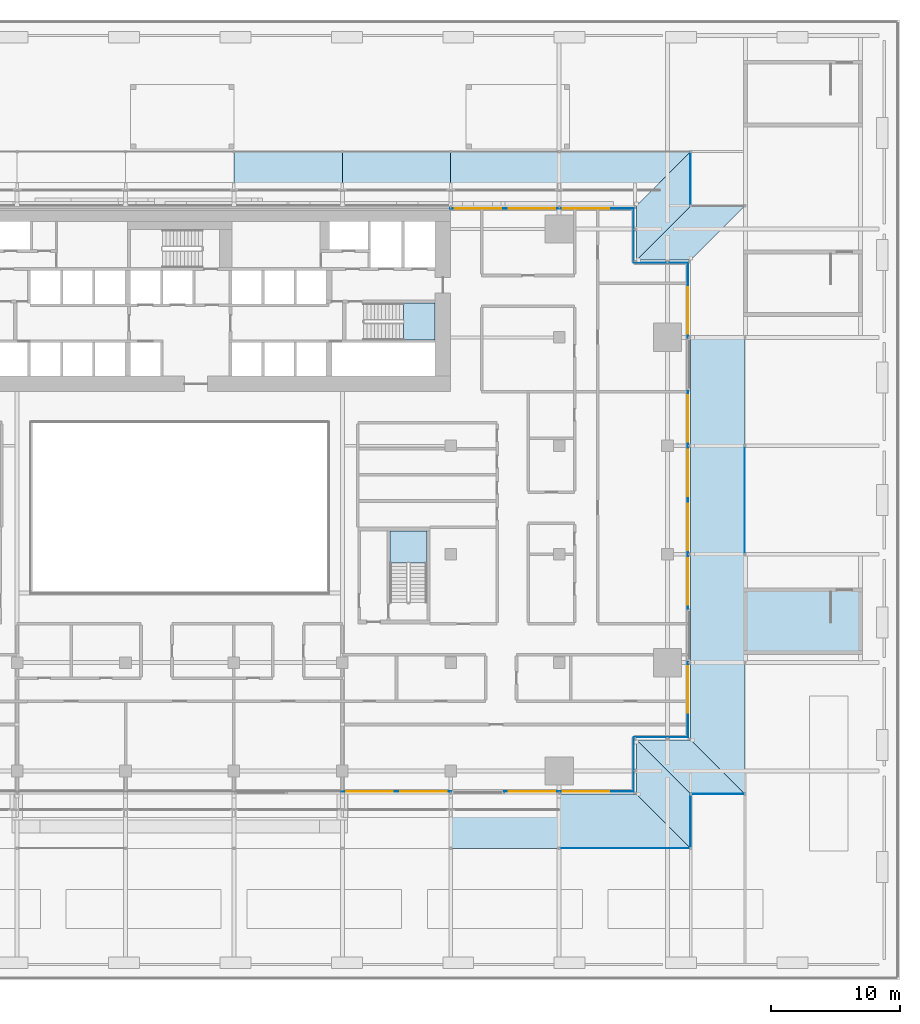
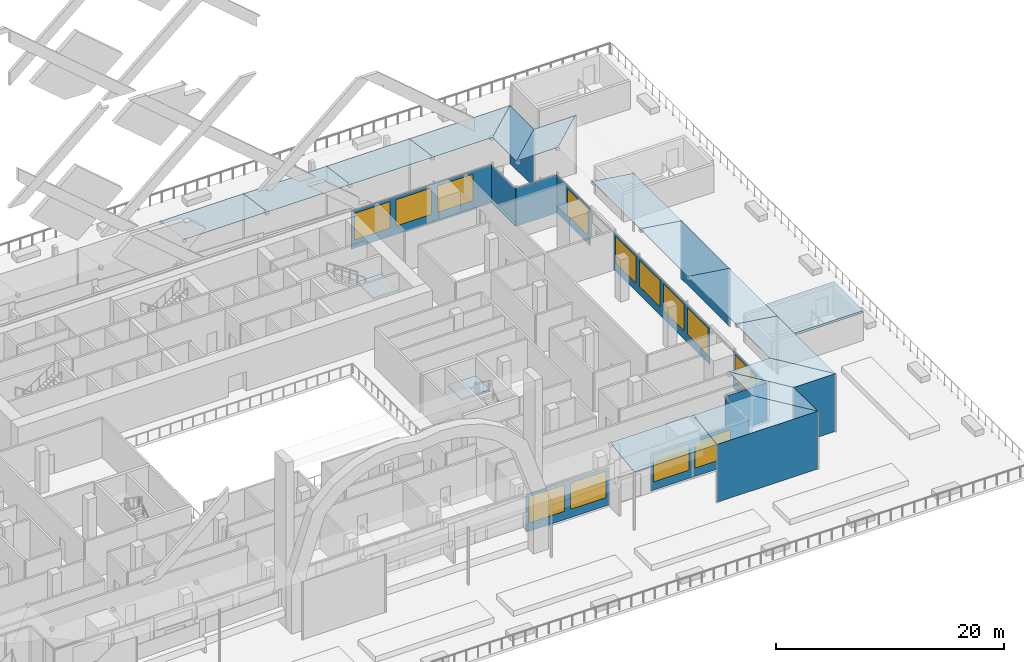
# One storey, part 20 of 60: 29 plates, 13 windows, 3 slabs, 13 openings, 9 elements without a shape of their own.
"""IFC4 building model written with IfcOpenShell, lengths in metres."""

from ifc_helpers import new_model, si_unit, direction, frame, frame_2d, origin, place, context, subcontext, project, spatial, polyline, rectangle, outline, extrude, material, layer, layer_set, type_object, element, fill, aggregate, save


model = new_model("IFC4")

# Units and contexts
model_context = context("Model", 3, precision=1e-05, world=origin(), true_north=direction((0.0, 1.0)))
body_context = subcontext(model_context, "Body", "Model", "MODEL_VIEW")
ifc_project = project(units=[si_unit("LENGTHUNIT", "METRE"), si_unit("AREAUNIT", "SQUARE_METRE"), si_unit("VOLUMEUNIT", "CUBIC_METRE"), si_unit("PLANEANGLEUNIT", "RADIAN"), si_unit("MASSUNIT", "GRAM", prefix="KILO")], contexts=[model_context])

# Site, building, storey
site_placement = place(None, origin())
site = spatial("IfcSite", under=ifc_project, at=site_placement, CompositionType="ELEMENT")
building_placement = place(site_placement, origin())
building = spatial("IfcBuilding", under=site, at=building_placement, Name="Saffron Gate Tower", CompositionType="ELEMENT")
storey_placement = place(building_placement, frame((0.0, 0.0, 19.199951171875)))
storey = spatial("IfcBuildingStorey", under=building, at=storey_placement, Name="L03", CompositionType="ELEMENT", Elevation=19.199951171875)

# Slab
ifc_material_1 = material(Name="Concrete C70", Category="concrete")
ifc_layer_1 = layer(ifc_material_1, 0.199951171875)
ifc_layer_set_1 = layer_set([ifc_layer_1], Name="CS2 Stair head-house roof slab 200")
slab_type_1 = type_object("IfcSlabType", Name="CS2 Stair head-house roof slab 200", PredefinedType="ROOF", material=ifc_layer_set_1)
slab_1_placement = place(storey_placement, frame((0.0, 0.0, 3.0)))
element("IfcSlab", 1, at=slab_1_placement, inside=storey, type_object=slab_type_1, Name="Stair head-house roof slab K", PredefinedType="ROOF", context=body_context, shape_type="SweptSolid", body=[
    extrude(outline(polyline([(131.300048828125, 40.824951171875), (140.5, 40.824951171875), (140.5, 45.97509765625), (131.300048828125, 45.97509765625), (131.300048828125, 40.824951171875)])), origin(), (0.0, 0.0, 1.0), 0.199951171875),
])

# Curtain wall, plates, openings, windows
ifc_material_2 = material(Name="Aluminium, bronze anodised", Category="aluminium")
curtain_wall_type = type_object("IfcCurtainWallType", Name="CWS6 curtain wall tall storeys", PredefinedType="NOTDEFINED", material=ifc_material_2)
curtain_wall_1_placement = place(storey_placement, origin())
curtain_wall_1 = element("IfcCurtainWall", 2, at=curtain_wall_1_placement, inside=storey, type_object=curtain_wall_type, Name="CWS6 run 1", PredefinedType="NOTDEFINED")
ifc_material_3 = material(Name="Fritted bronze-tinted laminated glass", Category="glass")
ifc_layer_2 = layer(ifc_material_3, 0.028076171875)
ifc_layer_set_2 = layer_set([ifc_layer_2], Name="CWS6 fixed glass")
plate_type_1 = type_object("IfcPlateType", Name="CWS6 fixed glass", PredefinedType="CURTAIN_PANEL", material=ifc_layer_set_2)
plate_1_placement = place(storey_placement, frame((100.159912109375, 30.214111328125, 0.0), z_axis=(0.0, 0.0, 1.0), x_axis=(1.0, 0.0, 0.0)))
plate_1 = element("IfcPlate", 3, at=plate_1_placement, type_object=plate_type_1, Name="CWS6 glass panel", PredefinedType="CURTAIN_PANEL", context=body_context, shape_type="SweptSolid", body=[
    extrude(rectangle(XDim=8.47998046875, YDim=0.028076171875, at=frame_2d((4.239990234375, 0.0))), origin(), (0.0, 0.0, 1.0), 4.080078125),
])
opening_1_placement = place(plate_1_placement, frame((0.340087890625, 0.0, 0.89990234375)))
opening_1 = element("IfcOpeningElement", 4, at=opening_1_placement, cuts=plate_1, Name="Opening W3", PredefinedType="OPENING", context=body_context, shape_type="SweptSolid", body=[
    extrude(rectangle(XDim=3.60009765625, YDim=2.830078125, at=frame_2d((1.800048828125, 1.4150390625))), frame((0.0, 0.02392578125, 0.0), z_axis=(0.0, -1.0, 0.0), x_axis=(1.0, 0.0, 0.0)), (0.0, 0.0, 1.0), 0.048095703125),
])
opening_2_placement = place(plate_1_placement, frame((4.5400390625, 0.0, 0.89990234375)))
opening_2 = element("IfcOpeningElement", 5, at=opening_2_placement, cuts=plate_1, Name="Opening W3", PredefinedType="OPENING", context=body_context, shape_type="SweptSolid", body=[
    extrude(rectangle(XDim=3.60009765625, YDim=2.830078125, at=frame_2d((1.800048828125, 1.4150390625))), frame((0.0, 0.02392578125, 0.0), z_axis=(0.0, -1.0, 0.0), x_axis=(1.0, 0.0, 0.0)), (0.0, 0.0, 1.0), 0.048095703125),
])
ifc_material_4 = material(Name="Fritted bronze-tinted laminated glass in bronze frame", Category="glass")
ifc_layer_3 = layer(ifc_material_4, 0.06005859375)
ifc_layer_set_3 = layer_set([ifc_layer_3], Name="W3 operable panel 3600x2830")
window_type = type_object("IfcWindowType", Name="W3 operable panel 3600x2830", PartitioningType="DOUBLE_PANEL_HORIZONTAL", PredefinedType="WINDOW", material=ifc_layer_set_3)
window_1_placement = place(opening_1_placement, origin())
window_1 = element("IfcWindow", 6, at=window_1_placement, type_object=window_type, Name="W3 operable panel", OverallHeight=2.830078125, OverallWidth=3.60009765625, PartitioningType="SINGLE_PANEL", PredefinedType="WINDOW", context=body_context, shape_type="SweptSolid", body=[
    extrude(rectangle(XDim=3.60009765625, YDim=2.830078125, at=frame_2d((1.800048828125, 1.4150390625))), frame((0.0, 0.013671875, 0.0), z_axis=(0.0, -1.0, 0.0), x_axis=(1.0, 0.0, 0.0)), (0.0, 0.0, 1.0), 0.027587890625),
])
fill(opening_1, window_1)
window_2_placement = place(opening_2_placement, origin())
window_2 = element("IfcWindow", 7, at=window_2_placement, type_object=window_type, Name="W3 operable panel", OverallHeight=2.830078125, OverallWidth=3.60009765625, PartitioningType="SINGLE_PANEL", PredefinedType="WINDOW", context=body_context, shape_type="SweptSolid", body=[
    extrude(rectangle(XDim=3.60009765625, YDim=2.830078125, at=frame_2d((1.800048828125, 1.4150390625))), frame((0.0, 0.013671875, 0.0), z_axis=(0.0, -1.0, 0.0), x_axis=(1.0, 0.0, 0.0)), (0.0, 0.0, 1.0), 0.027587890625),
])
fill(opening_2, window_2)
plate_2_placement = place(storey_placement, frame((112.760009765625, 30.214111328125, 0.0), z_axis=(0.0, 0.0, 1.0), x_axis=(1.0, 0.0, 0.0)))
plate_2 = element("IfcPlate", 8, at=plate_2_placement, type_object=plate_type_1, Name="CWS6 glass panel", PredefinedType="CURTAIN_PANEL", context=body_context, shape_type="SweptSolid", body=[
    extrude(rectangle(XDim=10.011962890625, YDim=0.028076171875, at=frame_2d((5.005859375, 0.0))), origin(), (0.0, 0.0, 1.0), 4.080078125),
])
opening_3_placement = place(plate_2_placement, frame((0.340087890625, 0.0, 0.89990234375)))
opening_3 = element("IfcOpeningElement", 9, at=opening_3_placement, cuts=plate_2, Name="Opening W3", PredefinedType="OPENING", context=body_context, shape_type="SweptSolid", body=[
    extrude(rectangle(XDim=3.60009765625, YDim=2.830078125, at=frame_2d((1.800048828125, 1.4150390625))), frame((0.0, 0.02392578125, 0.0), z_axis=(0.0, -1.0, 0.0), x_axis=(1.0, 0.0, 0.0)), (0.0, 0.0, 1.0), 0.048095703125),
])
opening_4_placement = place(plate_2_placement, frame((4.5400390625, 0.0, 0.89990234375)))
opening_4 = element("IfcOpeningElement", 10, at=opening_4_placement, cuts=plate_2, Name="Opening W3", PredefinedType="OPENING", context=body_context, shape_type="SweptSolid", body=[
    extrude(rectangle(XDim=3.60009765625, YDim=2.830078125, at=frame_2d((1.800048828125, 1.4150390625))), frame((0.0, 0.02392578125, 0.0), z_axis=(0.0, -1.0, 0.0), x_axis=(1.0, 0.0, 0.0)), (0.0, 0.0, 1.0), 0.048095703125),
])
window_3_placement = place(opening_3_placement, origin())
window_3 = element("IfcWindow", 11, at=window_3_placement, type_object=window_type, Name="W3 operable panel", OverallHeight=2.830078125, OverallWidth=3.60009765625, PartitioningType="SINGLE_PANEL", PredefinedType="WINDOW", context=body_context, shape_type="SweptSolid", body=[
    extrude(rectangle(XDim=3.60009765625, YDim=2.830078125, at=frame_2d((1.800048828125, 1.4150390625))), frame((0.0, 0.013671875, 0.0), z_axis=(0.0, -1.0, 0.0), x_axis=(1.0, 0.0, 0.0)), (0.0, 0.0, 1.0), 0.027587890625),
])
fill(opening_3, window_3)
window_4_placement = place(opening_4_placement, origin())
window_4 = element("IfcWindow", 12, at=window_4_placement, type_object=window_type, Name="W3 operable panel", OverallHeight=2.830078125, OverallWidth=3.60009765625, PartitioningType="SINGLE_PANEL", PredefinedType="WINDOW", context=body_context, shape_type="SweptSolid", body=[
    extrude(rectangle(XDim=3.60009765625, YDim=2.830078125, at=frame_2d((1.800048828125, 1.4150390625))), frame((0.0, 0.013671875, 0.0), z_axis=(0.0, -1.0, 0.0), x_axis=(1.0, 0.0, 0.0)), (0.0, 0.0, 1.0), 0.027587890625),
])
fill(opening_4, window_4)
aggregate(curtain_wall_1, [plate_1, plate_2, window_1, window_2, window_3, window_4])

# Curtain wall, plate
curtain_wall_2_placement = place(storey_placement, origin())
curtain_wall_2 = element("IfcCurtainWall", 13, at=curtain_wall_2_placement, inside=storey, type_object=curtain_wall_type, Name="CWS6 run 2", PredefinedType="NOTDEFINED")
plate_3_placement = place(storey_placement, frame((122.785888671875, 30.22802734375, 0.0), z_axis=(0.0, 0.0, 1.0), x_axis=(0.0, 1.0, 0.0)))
plate_3 = element("IfcPlate", 14, at=plate_3_placement, type_object=plate_type_1, Name="CWS6 glass panel", PredefinedType="CURTAIN_PANEL", context=body_context, shape_type="SweptSolid", body=[
    extrude(rectangle(XDim=4.171875, YDim=0.028076171875, at=frame_2d((2.0859375, 0.0))), origin(), (0.0, 0.0, 1.0), 4.080078125),
])
aggregate(curtain_wall_2, [plate_3])

curtain_wall_3_placement = place(storey_placement, origin())
curtain_wall_3 = element("IfcCurtainWall", 15, at=curtain_wall_3_placement, inside=storey, type_object=curtain_wall_type, Name="CWS6 run 3", PredefinedType="NOTDEFINED")
plate_4_placement = place(storey_placement, frame((122.800048828125, 34.4140625, 0.0), z_axis=(0.0, 0.0, 1.0), x_axis=(1.0, 0.0, 0.0)))
plate_4 = element("IfcPlate", 16, at=plate_4_placement, type_object=plate_type_1, Name="CWS6 glass panel", PredefinedType="CURTAIN_PANEL", context=body_context, shape_type="SweptSolid", body=[
    extrude(rectangle(XDim=4.171875, YDim=0.028076171875, at=frame_2d((2.0859375, 0.0))), origin(), (0.0, 0.0, 1.0), 4.080078125),
])
aggregate(curtain_wall_3, [plate_4])

# Curtain wall, plates, openings, windows
curtain_wall_4_placement = place(storey_placement, origin())
curtain_wall_4 = element("IfcCurtainWall", 17, at=curtain_wall_4_placement, inside=storey, type_object=curtain_wall_type, Name="CWS6 run 4", PredefinedType="NOTDEFINED")
plate_5_placement = place(storey_placement, frame((126.986083984375, 34.427978515625, 0.0), z_axis=(0.0, 0.0, 1.0), x_axis=(0.0, 1.0, 0.0)))
plate_5 = element("IfcPlate", 18, at=plate_5_placement, type_object=plate_type_1, Name="CWS6 glass panel", PredefinedType="CURTAIN_PANEL", context=body_context, shape_type="SweptSolid", body=[
    extrude(rectangle(XDim=5.81201171875, YDim=0.028076171875, at=frame_2d((2.906005859375, 0.0))), origin(), (0.0, 0.0, 1.0), 4.080078125),
])
opening_5_placement = place(plate_5_placement, frame((1.8720703125, 0.0, 0.89990234375)))
opening_5 = element("IfcOpeningElement", 19, at=opening_5_placement, cuts=plate_5, Name="Opening W3", PredefinedType="OPENING", context=body_context, shape_type="SweptSolid", body=[
    extrude(rectangle(XDim=3.60009765625, YDim=2.830078125, at=frame_2d((1.800048828125, 1.4150390625))), frame((0.0, 0.02392578125, 0.0), z_axis=(0.0, -1.0, 0.0), x_axis=(1.0, 0.0, 0.0)), (0.0, 0.0, 1.0), 0.048095703125),
])
window_5_placement = place(opening_5_placement, origin())
window_5 = element("IfcWindow", 20, at=window_5_placement, type_object=window_type, Name="W3 operable panel", OverallHeight=2.830078125, OverallWidth=3.60009765625, PartitioningType="SINGLE_PANEL", PredefinedType="WINDOW", context=body_context, shape_type="SweptSolid", body=[
    extrude(rectangle(XDim=3.60009765625, YDim=2.830078125, at=frame_2d((1.800048828125, 1.4150390625))), frame((0.0, 0.013671875, 0.0), z_axis=(0.0, -1.0, 0.0), x_axis=(1.0, 0.0, 0.0)), (0.0, 0.0, 1.0), 0.027587890625),
])
fill(opening_5, window_5)
plate_6_placement = place(storey_placement, frame((126.986083984375, 44.360107421875, 0.0), z_axis=(0.0, 0.0, 1.0), x_axis=(0.0, 1.0, 0.0)))
plate_6 = element("IfcPlate", 21, at=plate_6_placement, type_object=plate_type_1, Name="CWS6 glass panel", PredefinedType="CURTAIN_PANEL", context=body_context, shape_type="SweptSolid", body=[
    extrude(rectangle(XDim=16.8798828125, YDim=0.028076171875, at=frame_2d((8.43994140625, 0.0))), origin(), (0.0, 0.0, 1.0), 4.080078125),
])
opening_6_placement = place(plate_6_placement, frame((0.340087890625, 0.0, 0.89990234375)))
opening_6 = element("IfcOpeningElement", 22, at=opening_6_placement, cuts=plate_6, Name="Opening W3", PredefinedType="OPENING", context=body_context, shape_type="SweptSolid", body=[
    extrude(rectangle(XDim=3.60009765625, YDim=2.830078125, at=frame_2d((1.800048828125, 1.4150390625))), frame((0.0, 0.02392578125, 0.0), z_axis=(0.0, -1.0, 0.0), x_axis=(1.0, 0.0, 0.0)), (0.0, 0.0, 1.0), 0.048095703125),
])
opening_7_placement = place(plate_6_placement, frame((4.5400390625, 0.0, 0.89990234375)))
opening_7 = element("IfcOpeningElement", 23, at=opening_7_placement, cuts=plate_6, Name="Opening W3", PredefinedType="OPENING", context=body_context, shape_type="SweptSolid", body=[
    extrude(rectangle(XDim=3.60009765625, YDim=2.830078125, at=frame_2d((1.800048828125, 1.4150390625))), frame((0.0, 0.02392578125, 0.0), z_axis=(0.0, -1.0, 0.0), x_axis=(1.0, 0.0, 0.0)), (0.0, 0.0, 1.0), 0.048095703125),
])
opening_8_placement = place(plate_6_placement, frame((8.739990234375, 0.0, 0.89990234375)))
opening_8 = element("IfcOpeningElement", 24, at=opening_8_placement, cuts=plate_6, Name="Opening W3", PredefinedType="OPENING", context=body_context, shape_type="SweptSolid", body=[
    extrude(rectangle(XDim=3.60009765625, YDim=2.830078125, at=frame_2d((1.800048828125, 1.4150390625))), frame((0.0, 0.02392578125, 0.0), z_axis=(0.0, -1.0, 0.0), x_axis=(1.0, 0.0, 0.0)), (0.0, 0.0, 1.0), 0.048095703125),
])
opening_9_placement = place(plate_6_placement, frame((12.93994140625, 0.0, 0.89990234375)))
opening_9 = element("IfcOpeningElement", 25, at=opening_9_placement, cuts=plate_6, Name="Opening W3", PredefinedType="OPENING", context=body_context, shape_type="SweptSolid", body=[
    extrude(rectangle(XDim=3.60009765625, YDim=2.830078125, at=frame_2d((1.800048828125, 1.4150390625))), frame((0.0, 0.02392578125, 0.0), z_axis=(0.0, -1.0, 0.0), x_axis=(1.0, 0.0, 0.0)), (0.0, 0.0, 1.0), 0.048095703125),
])
window_6_placement = place(opening_6_placement, origin())
window_6 = element("IfcWindow", 26, at=window_6_placement, type_object=window_type, Name="W3 operable panel", OverallHeight=2.830078125, OverallWidth=3.60009765625, PartitioningType="SINGLE_PANEL", PredefinedType="WINDOW", context=body_context, shape_type="SweptSolid", body=[
    extrude(rectangle(XDim=3.60009765625, YDim=2.830078125, at=frame_2d((1.800048828125, 1.4150390625))), frame((0.0, 0.013671875, 0.0), z_axis=(0.0, -1.0, 0.0), x_axis=(1.0, 0.0, 0.0)), (0.0, 0.0, 1.0), 0.027587890625),
])
fill(opening_6, window_6)
window_7_placement = place(opening_7_placement, origin())
window_7 = element("IfcWindow", 27, at=window_7_placement, type_object=window_type, Name="W3 operable panel", OverallHeight=2.830078125, OverallWidth=3.60009765625, PartitioningType="SINGLE_PANEL", PredefinedType="WINDOW", context=body_context, shape_type="SweptSolid", body=[
    extrude(rectangle(XDim=3.60009765625, YDim=2.830078125, at=frame_2d((1.800048828125, 1.4150390625))), frame((0.0, 0.013671875, 0.0), z_axis=(0.0, -1.0, 0.0), x_axis=(1.0, 0.0, 0.0)), (0.0, 0.0, 1.0), 0.027587890625),
])
fill(opening_7, window_7)
window_8_placement = place(opening_8_placement, origin())
window_8 = element("IfcWindow", 28, at=window_8_placement, type_object=window_type, Name="W3 operable panel", OverallHeight=2.830078125, OverallWidth=3.60009765625, PartitioningType="SINGLE_PANEL", PredefinedType="WINDOW", context=body_context, shape_type="SweptSolid", body=[
    extrude(rectangle(XDim=3.60009765625, YDim=2.830078125, at=frame_2d((1.800048828125, 1.4150390625))), frame((0.0, 0.013671875, 0.0), z_axis=(0.0, -1.0, 0.0), x_axis=(1.0, 0.0, 0.0)), (0.0, 0.0, 1.0), 0.027587890625),
])
fill(opening_8, window_8)
window_9_placement = place(opening_9_placement, origin())
window_9 = element("IfcWindow", 29, at=window_9_placement, type_object=window_type, Name="W3 operable panel", OverallHeight=2.830078125, OverallWidth=3.60009765625, PartitioningType="SINGLE_PANEL", PredefinedType="WINDOW", context=body_context, shape_type="SweptSolid", body=[
    extrude(rectangle(XDim=3.60009765625, YDim=2.830078125, at=frame_2d((1.800048828125, 1.4150390625))), frame((0.0, 0.013671875, 0.0), z_axis=(0.0, -1.0, 0.0), x_axis=(1.0, 0.0, 0.0)), (0.0, 0.0, 1.0), 0.027587890625),
])
fill(opening_9, window_9)
plate_7_placement = place(storey_placement, frame((126.986083984375, 65.360107421875, 0.0), z_axis=(0.0, 0.0, 1.0), x_axis=(0.0, 1.0, 0.0)))
plate_7 = element("IfcPlate", 30, at=plate_7_placement, type_object=plate_type_1, Name="CWS6 glass panel", PredefinedType="CURTAIN_PANEL", context=body_context, shape_type="SweptSolid", body=[
    extrude(rectangle(XDim=5.81201171875, YDim=0.028076171875, at=frame_2d((2.906005859375, 0.0))), origin(), (0.0, 0.0, 1.0), 4.080078125),
])
opening_10_placement = place(plate_7_placement, frame((0.340087890625, 0.0, 0.89990234375)))
opening_10 = element("IfcOpeningElement", 31, at=opening_10_placement, cuts=plate_7, Name="Opening W3", PredefinedType="OPENING", context=body_context, shape_type="SweptSolid", body=[
    extrude(rectangle(XDim=3.60009765625, YDim=2.830078125, at=frame_2d((1.800048828125, 1.4150390625))), frame((0.0, 0.02392578125, 0.0), z_axis=(0.0, -1.0, 0.0), x_axis=(1.0, 0.0, 0.0)), (0.0, 0.0, 1.0), 0.048095703125),
])
window_10_placement = place(opening_10_placement, origin())
window_10 = element("IfcWindow", 32, at=window_10_placement, type_object=window_type, Name="W3 operable panel", OverallHeight=2.830078125, OverallWidth=3.60009765625, PartitioningType="SINGLE_PANEL", PredefinedType="WINDOW", context=body_context, shape_type="SweptSolid", body=[
    extrude(rectangle(XDim=3.60009765625, YDim=2.830078125, at=frame_2d((1.800048828125, 1.4150390625))), frame((0.0, 0.013671875, 0.0), z_axis=(0.0, -1.0, 0.0), x_axis=(1.0, 0.0, 0.0)), (0.0, 0.0, 1.0), 0.027587890625),
])
fill(opening_10, window_10)
aggregate(curtain_wall_4, [plate_5, plate_6, plate_7, window_5, window_6, window_7, window_8, window_9, window_10])

# Curtain wall, plate
curtain_wall_5_placement = place(storey_placement, origin())
curtain_wall_5 = element("IfcCurtainWall", 33, at=curtain_wall_5_placement, inside=storey, type_object=curtain_wall_type, Name="CWS6 run 5", PredefinedType="NOTDEFINED")
plate_8_placement = place(storey_placement, frame((126.971923828125, 71.18603515625, 0.0), z_axis=(0.0, 0.0, 1.0), x_axis=(-1.0, 0.0, 0.0)))
plate_8 = element("IfcPlate", 34, at=plate_8_placement, type_object=plate_type_1, Name="CWS6 glass panel", PredefinedType="CURTAIN_PANEL", context=body_context, shape_type="SweptSolid", body=[
    extrude(rectangle(XDim=4.171875, YDim=0.028076171875, at=frame_2d((2.0859375, 0.0))), origin(), (0.0, 0.0, 1.0), 4.080078125),
])
aggregate(curtain_wall_5, [plate_8])

curtain_wall_6_placement = place(storey_placement, origin())
curtain_wall_6 = element("IfcCurtainWall", 35, at=curtain_wall_6_placement, inside=storey, type_object=curtain_wall_type, Name="CWS6 run 6", PredefinedType="NOTDEFINED")
plate_9_placement = place(storey_placement, frame((122.785888671875, 71.199951171875, 0.0), z_axis=(0.0, 0.0, 1.0), x_axis=(0.0, 1.0, 0.0)))
plate_9 = element("IfcPlate", 36, at=plate_9_placement, type_object=plate_type_1, Name="CWS6 glass panel", PredefinedType="CURTAIN_PANEL", context=body_context, shape_type="SweptSolid", body=[
    extrude(rectangle(XDim=4.172119140625, YDim=0.028076171875, at=frame_2d((2.0859375, 0.0))), origin(), (0.0, 0.0, 1.0), 4.080078125),
])
aggregate(curtain_wall_6, [plate_9])

# Curtain wall, plate, openings, windows
curtain_wall_7_placement = place(storey_placement, origin())
curtain_wall_7 = element("IfcCurtainWall", 37, at=curtain_wall_7_placement, inside=storey, type_object=curtain_wall_type, Name="CWS6 run 7", PredefinedType="NOTDEFINED")
plate_10_placement = place(storey_placement, frame((122.77197265625, 75.385986328125, 0.0), z_axis=(0.0, 0.0, 1.0), x_axis=(-1.0, 0.0, 0.0)))
plate_10 = element("IfcPlate", 38, at=plate_10_placement, type_object=plate_type_1, Name="CWS6 glass panel", PredefinedType="CURTAIN_PANEL", context=body_context, shape_type="SweptSolid", body=[
    extrude(rectangle(XDim=14.2119140625, YDim=0.028076171875, at=frame_2d((7.10595703125, 0.0))), origin(), (0.0, 0.0, 1.0), 4.080078125),
])
opening_11_placement = place(plate_10_placement, frame((1.8720703125, 0.0, 0.89990234375)))
opening_11 = element("IfcOpeningElement", 39, at=opening_11_placement, cuts=plate_10, Name="Opening W3", PredefinedType="OPENING", context=body_context, shape_type="SweptSolid", body=[
    extrude(rectangle(XDim=3.60009765625, YDim=2.830078125, at=frame_2d((1.800048828125, 1.4150390625))), frame((0.0, 0.02392578125, 0.0), z_axis=(0.0, -1.0, 0.0), x_axis=(1.0, 0.0, 0.0)), (0.0, 0.0, 1.0), 0.048095703125),
])
opening_12_placement = place(plate_10_placement, frame((6.072021484375, 0.0, 0.89990234375)))
opening_12 = element("IfcOpeningElement", 40, at=opening_12_placement, cuts=plate_10, Name="Opening W3", PredefinedType="OPENING", context=body_context, shape_type="SweptSolid", body=[
    extrude(rectangle(XDim=3.60009765625, YDim=2.830078125, at=frame_2d((1.800048828125, 1.4150390625))), frame((0.0, 0.02392578125, 0.0), z_axis=(0.0, -1.0, 0.0), x_axis=(1.0, 0.0, 0.0)), (0.0, 0.0, 1.0), 0.048095703125),
])
opening_13_placement = place(plate_10_placement, frame((10.27197265625, 0.0, 0.89990234375)))
opening_13 = element("IfcOpeningElement", 41, at=opening_13_placement, cuts=plate_10, Name="Opening W3", PredefinedType="OPENING", context=body_context, shape_type="SweptSolid", body=[
    extrude(rectangle(XDim=3.60009765625, YDim=2.830078125, at=frame_2d((1.800048828125, 1.4150390625))), frame((0.0, 0.02392578125, 0.0), z_axis=(0.0, -1.0, 0.0), x_axis=(1.0, 0.0, 0.0)), (0.0, 0.0, 1.0), 0.048095703125),
])
window_11_placement = place(opening_11_placement, origin())
window_11 = element("IfcWindow", 42, at=window_11_placement, type_object=window_type, Name="W3 operable panel", OverallHeight=2.830078125, OverallWidth=3.60009765625, PartitioningType="SINGLE_PANEL", PredefinedType="WINDOW", context=body_context, shape_type="SweptSolid", body=[
    extrude(rectangle(XDim=3.60009765625, YDim=2.830078125, at=frame_2d((1.800048828125, 1.4150390625))), frame((0.0, 0.013671875, 0.0), z_axis=(0.0, -1.0, 0.0), x_axis=(1.0, 0.0, 0.0)), (0.0, 0.0, 1.0), 0.027587890625),
])
fill(opening_11, window_11)
window_12_placement = place(opening_12_placement, origin())
window_12 = element("IfcWindow", 43, at=window_12_placement, type_object=window_type, Name="W3 operable panel", OverallHeight=2.830078125, OverallWidth=3.60009765625, PartitioningType="SINGLE_PANEL", PredefinedType="WINDOW", context=body_context, shape_type="SweptSolid", body=[
    extrude(rectangle(XDim=3.60009765625, YDim=2.830078125, at=frame_2d((1.800048828125, 1.4150390625))), frame((0.0, 0.013671875, 0.0), z_axis=(0.0, -1.0, 0.0), x_axis=(1.0, 0.0, 0.0)), (0.0, 0.0, 1.0), 0.027587890625),
])
fill(opening_12, window_12)
window_13_placement = place(opening_13_placement, origin())
window_13 = element("IfcWindow", 44, at=window_13_placement, type_object=window_type, Name="W3 operable panel", OverallHeight=2.830078125, OverallWidth=3.60009765625, PartitioningType="SINGLE_PANEL", PredefinedType="WINDOW", context=body_context, shape_type="SweptSolid", body=[
    extrude(rectangle(XDim=3.60009765625, YDim=2.830078125, at=frame_2d((1.800048828125, 1.4150390625))), frame((0.0, 0.013671875, 0.0), z_axis=(0.0, -1.0, 0.0), x_axis=(1.0, 0.0, 0.0)), (0.0, 0.0, 1.0), 0.027587890625),
])
fill(opening_13, window_13)
aggregate(curtain_wall_7, [plate_10, window_11, window_12, window_13])

# Plates
ifc_material_5 = material(Name="Laminated glass with a ceramic frit", Category="glass")
ifc_layer_4 = layer(ifc_material_5, 0.030029296875)
ifc_layer_set_4 = layer_set([ifc_layer_4], Name="HL2 hall roof glass")
plate_type_2 = type_object("IfcPlateType", Name="HL2 hall roof glass", PredefinedType="SHEET", material=ifc_layer_set_4)
plate_11_placement = place(storey_placement, frame((108.60009765625, 30.0, 6.800048828125), z_axis=(0.0, -0.141445525081, 0.989946040668), x_axis=(1.0, 0.0, 0.0)))
element("IfcPlate", 45, at=plate_11_placement, inside=storey, type_object=plate_type_2, Name="HALL ROOF glass", PredefinedType="SHEET", context=body_context, shape_type="SweptSolid", body=[
    extrude(outline(polyline([(0.0, 0.0), (8.39990234375, 0.0), (8.39990234375, -4.2426061616854005), (0.0, -4.2426061616854005), (0.0, 0.0)])), origin(), (0.0, 0.0, -1.0), 0.030029296875),
])
plate_12_placement = place(storey_placement, frame((117.0, 30.0, 6.800048828125), z_axis=(0.0, -0.141445525081, 0.989946040668), x_axis=(1.0, 0.0, 0.0)))
element("IfcPlate", 46, at=plate_12_placement, inside=storey, type_object=plate_type_2, Name="HALL ROOF glass", PredefinedType="SHEET", context=body_context, shape_type="SweptSolid", body=[
    extrude(outline(polyline([(0.0, 0.0), (6.0, 0.0), (10.199951171875, -4.2426061616854005), (0.0, -4.2426061616854005), (0.0, 0.0)])), origin(), (0.0, 0.0, -1.0), 0.030029296875),
])
plate_13_placement = place(storey_placement, frame((123.0, 30.0, 6.800048828125), z_axis=(0.141445525081, 0.0, 0.989946040668), x_axis=(0.0, 1.0, 0.0)))
element("IfcPlate", 47, at=plate_13_placement, inside=storey, type_object=plate_type_2, Name="HALL ROOF glass", PredefinedType="SHEET", context=body_context, shape_type="SweptSolid", body=[
    extrude(outline(polyline([(0.0, 0.0), (4.199951171875, 0.0), (0.0, -4.2426061616854005), (-4.199951171875, -4.2426061616854005), (0.0, 0.0)])), origin(), (0.0, 0.0, -1.0), 0.030029296875),
])
plate_14_placement = place(storey_placement, frame((123.0, 34.199951171875, 6.800048828125), z_axis=(0.0, -0.141445525081, 0.989946040668), x_axis=(1.0, 0.0, 0.0)))
element("IfcPlate", 48, at=plate_14_placement, inside=storey, type_object=plate_type_2, Name="HALL ROOF glass", PredefinedType="SHEET", context=body_context, shape_type="SweptSolid", body=[
    extrude(outline(polyline([(0.0, 0.0), (4.199951171875, 0.0), (8.39990234375, -4.2426061616854005), (4.199951171875, -4.2426061616854005), (0.0, 0.0)])), origin(), (0.0, 0.0, -1.0), 0.030029296875),
])
plate_15_placement = place(storey_placement, frame((127.199951171875, 34.199951171875, 6.800048828125), z_axis=(0.141445525081, 0.0, 0.989946040668), x_axis=(0.0, 1.0, 0.0)))
element("IfcPlate", 49, at=plate_15_placement, inside=storey, type_object=plate_type_2, Name="HALL ROOF glass", PredefinedType="SHEET", context=body_context, shape_type="SweptSolid", body=[
    extrude(outline(polyline([(0.0, 0.0), (6.0, 0.0), (6.0, -4.2426061616854005), (-4.199951171875, -4.2426061616854005), (0.0, 0.0)])), origin(), (0.0, 0.0, -1.0), 0.030029296875),
])
plate_16_placement = place(storey_placement, frame((127.199951171875, 40.199951171875, 6.800048828125), z_axis=(0.141445525081, 0.0, 0.989946040668), x_axis=(0.0, 1.0, 0.0)))
element("IfcPlate", 50, at=plate_16_placement, inside=storey, type_object=plate_type_2, Name="HALL ROOF glass", PredefinedType="SHEET", context=body_context, shape_type="SweptSolid", body=[
    extrude(outline(polyline([(0.0, 0.0), (8.400146484375, 0.0), (8.400146484375, -4.2426061616854005), (0.0, -4.2426061616854005), (0.0, 0.0)])), origin(), (0.0, 0.0, -1.0), 0.030029296875),
])
for number, where, z_axis, x_axis, name in (
    (51, (127.199951171875, 48.60009765625, 6.800048828125), (0.141445525081, 0.0, 0.989946040668), (0.0, 1.0, 0.0), "HALL ROOF glass"),
    (52, (127.199951171875, 57.0, 6.800048828125), (0.141445525081, 0.0, 0.989946040668), (0.0, 1.0, 0.0), "HALL ROOF glass"),
):
    element("IfcPlate", number, at=place(storey_placement, frame(where, z_axis=z_axis, x_axis=x_axis)), inside=storey, type_object=plate_type_2, Name=name, PredefinedType="SHEET", context=body_context, shape_type="SweptSolid", body=[
        extrude(outline(polyline([(0.0, 0.0), (8.39990234375, 0.0), (8.39990234375, -4.2426061616854005), (0.0, -4.2426061616854005), (0.0, 0.0)])), origin(), (0.0, 0.0, -1.0), 0.030029296875),
    ])
plate_17_placement = place(storey_placement, frame((127.199951171875, 71.39990234375, 6.800048828125), z_axis=(0.0, 0.141437467891, 0.989947191863), x_axis=(-1.0, 0.0, 0.0)))
element("IfcPlate", 53, at=plate_17_placement, inside=storey, type_object=plate_type_2, Name="HALL ROOF glass", PredefinedType="SHEET", context=body_context, shape_type="SweptSolid", body=[
    extrude(outline(polyline([(0.0, 0.0), (4.199951171875, 0.0), (0.0, -4.242847847871016), (-4.199951171875, -4.242847847871016), (0.0, 0.0)])), origin(), (0.0, 0.0, -1.0), 0.030029296875),
])
plate_18_placement = place(storey_placement, frame((123.0, 71.39990234375, 6.800048828125), z_axis=(0.141445525081, 0.0, 0.989946040668), x_axis=(0.0, 1.0, 0.0)))
element("IfcPlate", 54, at=plate_18_placement, inside=storey, type_object=plate_type_2, Name="HALL ROOF glass", PredefinedType="SHEET", context=body_context, shape_type="SweptSolid", body=[
    extrude(outline(polyline([(0.0, 0.0), (4.2001953125, 0.0), (8.400146484375, -4.2426061616854005), (4.2001953125, -4.2426061616854005), (0.0, 0.0)])), origin(), (0.0, 0.0, -1.0), 0.030029296875),
])
plate_19_placement = place(storey_placement, frame((123.0, 75.60009765625, 6.800048828125), z_axis=(0.0, 0.141445525081, 0.989946040668), x_axis=(-1.0, 0.0, 0.0)))
element("IfcPlate", 55, at=plate_19_placement, inside=storey, type_object=plate_type_2, Name="HALL ROOF glass", PredefinedType="SHEET", context=body_context, shape_type="SweptSolid", body=[
    extrude(outline(polyline([(0.0, 0.0), (6.0, 0.0), (6.0, -4.2426061616854005), (-4.199951171875, -4.2426061616854005), (0.0, 0.0)])), origin(), (0.0, 0.0, -1.0), 0.030029296875),
])
plate_20_placement = place(storey_placement, frame((117.0, 75.60009765625, 6.800048828125), z_axis=(0.0, 0.141445525081, 0.989946040668), x_axis=(-1.0, 0.0, 0.0)))
element("IfcPlate", 56, at=plate_20_placement, inside=storey, type_object=plate_type_2, Name="HALL ROOF glass", PredefinedType="SHEET", context=body_context, shape_type="SweptSolid", body=[
    extrude(outline(polyline([(0.0, 0.0), (8.39990234375, 0.0), (8.39990234375, -4.2426061616854005), (0.0, -4.2426061616854005), (0.0, 0.0)])), origin(), (0.0, 0.0, -1.0), 0.030029296875),
])
plate_21_placement = place(storey_placement, frame((108.60009765625, 75.60009765625, 6.800048828125), z_axis=(0.0, 0.141445525081, 0.989946040668), x_axis=(-1.0, 0.0, 0.0)))
element("IfcPlate", 57, at=plate_21_placement, inside=storey, type_object=plate_type_2, Name="HALL ROOF glass", PredefinedType="SHEET", context=body_context, shape_type="SweptSolid", body=[
    extrude(outline(polyline([(0.0, 0.0), (8.400146484375, 0.0), (8.400146484375, -4.2426061616854005), (0.0, -4.2426061616854005), (0.0, 0.0)])), origin(), (0.0, 0.0, -1.0), 0.030029296875),
])
plate_22_placement = place(storey_placement, frame((100.199951171875, 75.60009765625, 6.800048828125), z_axis=(0.0, 0.141445525081, 0.989946040668), x_axis=(-1.0, 0.0, 0.0)))
element("IfcPlate", 58, at=plate_22_placement, inside=storey, type_object=plate_type_2, Name="HALL ROOF glass", PredefinedType="SHEET", context=body_context, shape_type="SweptSolid", body=[
    extrude(outline(polyline([(0.0, 0.0), (8.39990234375, 0.0), (8.39990234375, -4.2426061616854005), (0.0, -4.2426061616854005), (0.0, 0.0)])), origin(), (0.0, 0.0, -1.0), 0.030029296875),
])
ifc_material_6 = material(Name="Toughened clear glass", Category="glass")
ifc_layer_5 = layer(ifc_material_6, 0.02001953125)
ifc_layer_set_5 = layer_set([ifc_layer_5], Name="HL3 hall screen glass")
plate_type_3 = type_object("IfcPlateType", Name="HL3 hall screen glass", PredefinedType="SHEET", material=ifc_layer_set_5)
plate_23_placement = place(storey_placement, frame((117.0, 25.800048828125, 0.0), z_axis=(0.0, -1.0, 0.0), x_axis=(1.0, 0.0, 0.0)))
element("IfcPlate", 59, at=plate_23_placement, inside=storey, type_object=plate_type_3, Name="HALL SCREEN glass", PredefinedType="SHEET", context=body_context, shape_type="SweptSolid", body=[
    extrude(outline(polyline([(0.0, 0.0), (10.199951171875, 0.0), (10.199951171875, 6.199951171875), (0.0, 6.199951171875), (0.0, 0.0)])), origin(), (0.0, 0.0, -1.0), 0.02001953125),
])
for number, where, z_axis, x_axis, name in (
    (60, (127.199951171875, 25.800048828125, 0.0), (1.0, 0.0, 0.0), (0.0, 1.0, 0.0), "HALL SCREEN glass"),
    (61, (127.199951171875, 30.0, 0.0), (0.0, -1.0, 0.0), (1.0, 0.0, 0.0), "HALL SCREEN glass"),
):
    element("IfcPlate", number, at=place(storey_placement, frame(where, z_axis=z_axis, x_axis=x_axis)), inside=storey, type_object=plate_type_3, Name=name, PredefinedType="SHEET", context=body_context, shape_type="SweptSolid", body=[
        extrude(outline(polyline([(0.0, 0.0), (4.199951171875, 0.0), (4.199951171875, 6.199951171875), (0.0, 6.199951171875), (0.0, 0.0)])), origin(), (0.0, 0.0, -1.0), 0.02001953125),
    ])
plate_24_placement = place(storey_placement, frame((131.39990234375, 48.60009765625, 0.0), z_axis=(1.0, 0.0, 0.0), x_axis=(0.0, 1.0, 0.0)))
element("IfcPlate", 62, at=plate_24_placement, inside=storey, type_object=plate_type_3, Name="HALL SCREEN glass", PredefinedType="SHEET", context=body_context, shape_type="SweptSolid", body=[
    extrude(outline(polyline([(0.0, 0.0), (8.39990234375, 0.0), (8.39990234375, 6.199951171875), (0.0, 6.199951171875), (0.0, 0.0)])), origin(), (0.0, 0.0, -1.0), 0.02001953125),
])
plate_25_placement = place(storey_placement, frame((127.199951171875, 75.60009765625, 0.0), z_axis=(1.0, 0.0, 0.0), x_axis=(0.0, 1.0, 0.0)))
element("IfcPlate", 63, at=plate_25_placement, inside=storey, type_object=plate_type_3, Name="HALL SCREEN glass", PredefinedType="SHEET", context=body_context, shape_type="SweptSolid", body=[
    extrude(outline(polyline([(0.0, 0.0), (4.199951171875, 0.0), (4.199951171875, 6.199951171875), (0.0, 6.199951171875), (0.0, 0.0)])), origin(), (0.0, 0.0, -1.0), 0.02001953125),
])

# Stair, slab
ifc_material_7 = material(Name="Concrete C40", Category="concrete")
stair_type = type_object("IfcStairType", Name="ST6 Stair 1350 wide, 24 risers of 188", PredefinedType="HALF_TURN_STAIR", material=ifc_material_7)
stair_1_placement = place(storey_placement, origin())
stair_1 = element("IfcStair", 64, at=stair_1_placement, inside=storey, type_object=stair_type, Name="L03 Exit stair B", PredefinedType="HALF_TURN_STAIR")
ifc_layer_6 = layer(ifc_material_7, 0.199951171875)
ifc_layer_set_6 = layer_set([ifc_layer_6], Name="SL1 Stair landing 200")
slab_type_2 = type_object("IfcSlabType", Name="SL1 Stair landing 200", PredefinedType="LANDING", material=ifc_layer_set_6)
slab_2_placement = place(storey_placement, frame((0.0, 0.0, 2.050048828125)))
slab_2 = element("IfcSlab", 65, at=slab_2_placement, type_object=slab_type_2, Name="ST-B landing 1", PredefinedType="LANDING", context=body_context, shape_type="SweptSolid", body=[
    extrude(outline(polyline([(104.929931640625, 65.199951171875), (107.39990234375, 65.199951171875), (107.39990234375, 68.050048828125), (104.929931640625, 68.050048828125), (104.929931640625, 65.199951171875)])), origin(), (0.0, 0.0, 1.0), 0.199951171875),
])
aggregate(stair_1, [slab_2])

stair_2_placement = place(storey_placement, origin())
stair_2 = element("IfcStair", 66, at=stair_2_placement, inside=storey, type_object=stair_type, Name="L03 Exit stair E", PredefinedType="HALF_TURN_STAIR")
slab_3_placement = place(storey_placement, frame((0.0, 0.0, 2.050048828125)))
slab_3 = element("IfcSlab", 67, at=slab_3_placement, type_object=slab_type_2, Name="ST-E landing 1", PredefinedType="LANDING", context=body_context, shape_type="SweptSolid", body=[
    extrude(outline(polyline([(106.75, 47.929931640625), (106.75, 50.39990234375), (103.89990234375, 50.39990234375), (103.89990234375, 47.929931640625), (106.75, 47.929931640625)])), origin(), (0.0, 0.0, 1.0), 0.199951171875),
])
aggregate(stair_2, [slab_3])

save(model, "model.ifc")
